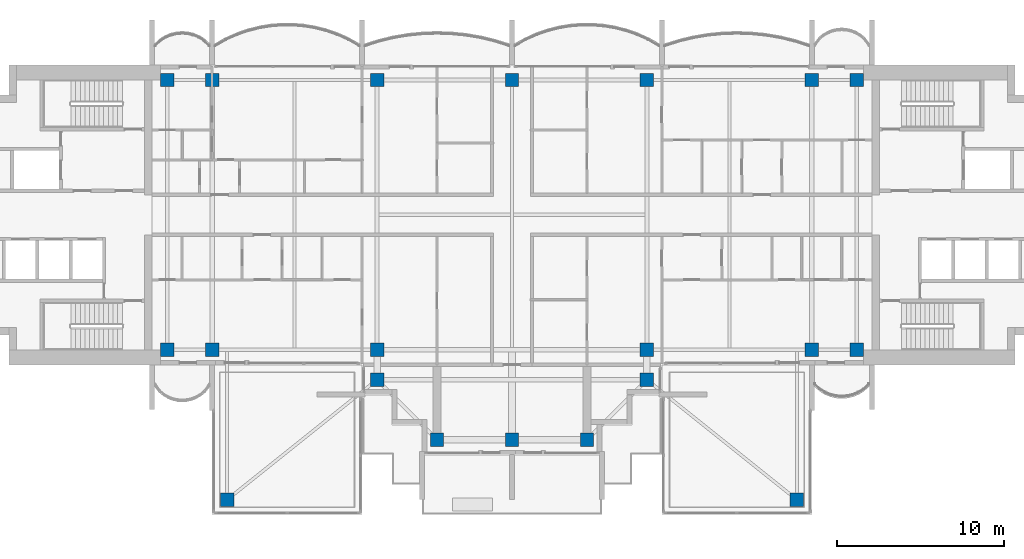
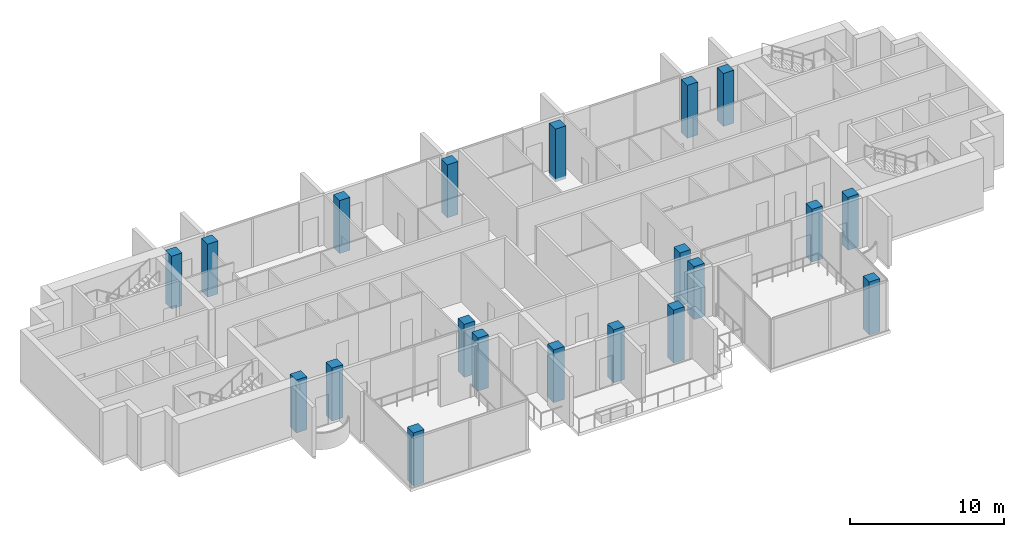
# One storey, part 1 of 16: 20 columns.
"""IFC4 building model written with IfcOpenShell, lengths in metres."""

from ifc_helpers import new_model, si_unit, direction, frame, origin, origin_2d, place, context, subcontext, project, spatial, rectangle, extrude, material, material_profile, profile_set, type_object, element, save


model = new_model("IFC4")

# Units and contexts
model_context = context("Model", 3, precision=1e-05, world=origin(), true_north=direction((0.0, 1.0)))
body_context = subcontext(model_context, "Body", "Model", "MODEL_VIEW")
ifc_project = project(units=[si_unit("LENGTHUNIT", "METRE"), si_unit("AREAUNIT", "SQUARE_METRE"), si_unit("VOLUMEUNIT", "CUBIC_METRE"), si_unit("PLANEANGLEUNIT", "RADIAN"), si_unit("MASSUNIT", "GRAM", prefix="KILO")], contexts=[model_context])

# Site, building, storey
site_placement = place(None, origin())
site = spatial("IfcSite", under=ifc_project, at=site_placement, CompositionType="ELEMENT")
building_placement = place(site_placement, origin())
building = spatial("IfcBuilding", under=site, at=building_placement, Name="Perihelion Cross Residences", CompositionType="ELEMENT")
storey_placement = place(building_placement, frame((0.0, 0.0, 290.39990234375)))
storey = spatial("IfcBuildingStorey", under=building, at=storey_placement, Name="L74", CompositionType="ELEMENT", Elevation=290.39990234375)

# Columns
ifc_material = material(Name="Concrete C50/60", Category="concrete")
ifc_material_profile = material_profile(ifc_material, rectangle(XDim=0.800048828125, YDim=0.800048828125, at=origin_2d()), Name="RC 800x800")
ifc_profile_set = profile_set([ifc_material_profile], Name="Concrete C50/60")
column_type = type_object("IfcColumnType", Name="Reinforced concrete column 800x800 C50/60", PredefinedType="COLUMN", material=ifc_profile_set)
for number, where, z_axis, x_axis, name in (
    (1, (-20.699951171875, -8.10009765625, -0.25), (0.0, 0.0, 1.0), (1.0, 0.0, 0.0), "Column C017 L74 no. 1"),
    (2, (-20.699951171875, 8.10009765625, -0.25), (0.0, 0.0, 1.0), (1.0, 0.0, 0.0), "Column C010 L74 no. 1"),
    (3, (-18.0, -8.10009765625, -0.25), (0.0, 0.0, 1.0), (1.0, 0.0, 0.0), "Column C018 L74 no. 1"),
    (4, (-18.0, 8.10009765625, -0.25), (0.0, 0.0, 1.0), (1.0, 0.0, 0.0), "Column C011 L74 no. 1"),
    (5, (-8.10009765625, -9.89990234375, -0.25), (0.0, 0.0, 1.0), (1.0, 0.0, 0.0), "Column C023 L74 no. 1"),
    (6, (-8.10009765625, -8.10009765625, -0.25), (0.0, 0.0, 1.0), (1.0, 0.0, 0.0), "Column C019 L74 no. 1"),
    (7, (-8.10009765625, 8.10009765625, -0.25), (0.0, 0.0, 1.0), (1.0, 0.0, 0.0), "Column C012 L74 no. 1"),
    (8, (-4.5, -13.5, -0.25), (0.0, 0.0, 1.0), (1.0, 0.0, 0.0), "Column C026 L74 no. 1"),
    (9, (0.0, -13.5, -0.25), (0.0, 0.0, 1.0), (1.0, 0.0, 0.0), "Column C027 L74 no. 1"),
    (10, (0.0, 8.10009765625, -0.25), (0.0, 0.0, 1.0), (1.0, 0.0, 0.0), "Column C013 L74 no. 1"),
    (11, (4.5, -13.5, -0.25), (0.0, 0.0, 1.0), (1.0, 0.0, 0.0), "Column C028 L74 no. 1"),
    (12, (8.10009765625, -9.89990234375, -0.25), (0.0, 0.0, 1.0), (1.0, 0.0, 0.0), "Column C024 L74 no. 1"),
    (13, (8.10009765625, -8.10009765625, -0.25), (0.0, 0.0, 1.0), (1.0, 0.0, 0.0), "Column C020 L74 no. 1"),
    (14, (8.10009765625, 8.10009765625, -0.25), (0.0, 0.0, 1.0), (1.0, 0.0, 0.0), "Column C014 L74 no. 1"),
    (15, (18.0, -8.10009765625, -0.25), (0.0, 0.0, 1.0), (1.0, 0.0, 0.0), "Column C021 L74 no. 1"),
    (16, (18.0, 8.10009765625, -0.25), (0.0, 0.0, 1.0), (1.0, 0.0, 0.0), "Column C015 L74 no. 1"),
    (17, (20.699951171875, -8.10009765625, -0.25), (0.0, 0.0, 1.0), (1.0, 0.0, 0.0), "Column C022 L74 no. 1"),
    (18, (20.699951171875, 8.10009765625, -0.25), (0.0, 0.0, 1.0), (1.0, 0.0, 0.0), "Column C016 L74 no. 1"),
    (19, (-17.10009765625, -17.10009765625, -0.25), (0.0, 0.0, 1.0), (1.0, 0.0, 0.0), "Column C030 L74 no. 1"),
    (20, (17.10009765625, -17.10009765625, -0.25), (0.0, 0.0, 1.0), (1.0, 0.0, 0.0), "Column C036 L74 no. 1"),
):
    element("IfcColumn", number, at=place(storey_placement, frame(where, z_axis=z_axis, x_axis=x_axis)), inside=storey, type_object=column_type, Name=name, PredefinedType="COLUMN", context=body_context, shape_type="SweptSolid", body=[
        extrude(rectangle(XDim=0.800048828125, YDim=0.800048828125, at=origin_2d()), origin(), (0.0, 0.0, 1.0), 4.2001953125),
    ])

save(model, "model.ifc")
